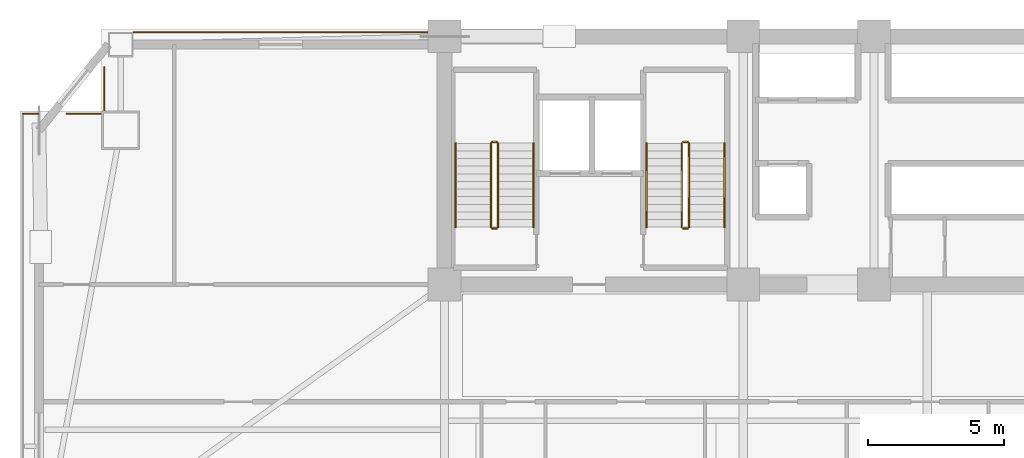
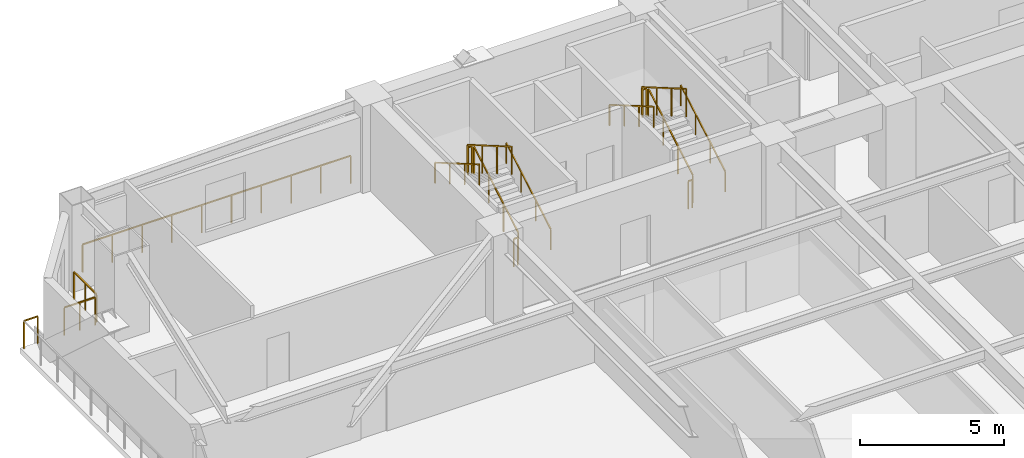
# One storey, part 14 of 15: 16 railings.
"""IFC4 building model written with IfcOpenShell, lengths in metres."""

import ifcopenshell
import ifcopenshell.guid

model = None  # the IFC model being written
_history = None  # IfcOwnerHistory: only IFC2X3 demands one
_inside = {}  # id of a spatial element -> (the spatial element, [elements in it])
_under = {}  # id of a project, library or spatial element -> (it, [spatial elements below it])
_declared = {}  # id of a project -> (the project, [libraries it declares])
_typed = {}  # id of a type object -> (the type object, [elements of that type])
_made_of = {}  # id of a material, layer set ... -> (it, [elements and type objects made of it])


def new_model(schema):
    """Start an empty IFC model of exactly this schema.

    Asked for "IFC4X3", IfcOpenShell would pick the latest addendum, in which some entities
    have other attributes; the version numbers below select the first issue.
    IFC2X3 requires an IfcOwnerHistory on every rooted entity: one is made here for all.
    """
    global model, _history
    if schema == "IFC4X3":
        model = ifcopenshell.file(schema_version=(4, 3, 0, 0))
    else:
        model = ifcopenshell.file(schema=schema)
    _inside.clear()
    _under.clear()
    _declared.clear()
    _typed.clear()
    _made_of.clear()
    _history = None
    if model.schema == "IFC2X3":
        org = make("IfcOrganization", Name="unknown")
        user = make(
            "IfcPersonAndOrganization",
            ThePerson=make("IfcPerson", FamilyName="unknown"),
            TheOrganization=org,
        )
        app = make(
            "IfcApplication",
            ApplicationDeveloper=org,
            Version="unknown",
            ApplicationFullName="unknown",
            ApplicationIdentifier="unknown",
        )
        _history = make(
            "IfcOwnerHistory",
            OwningUser=user,
            OwningApplication=app,
            ChangeAction="ADDED",
            CreationDate=0,
        )
    return model


def make(cls, **values):
    """One entity of the class cls with the attributes given. An attribute that is None is left unset."""
    return model.create_entity(
        cls, **{name: value for name, value in values.items() if value is not None}
    )


def rooted(cls, **values):
    """An entity with a GlobalId (a new one), such as an element, a storey or a relation."""
    return make(cls, GlobalId=ifcopenshell.guid.new(), OwnerHistory=_history, **values)


def si_unit(unit_type, name, prefix=None):
    """IfcSIUnit, for example si_unit("LENGTHUNIT", "METRE", prefix="MILLI")."""
    return make("IfcSIUnit", UnitType=unit_type, Prefix=prefix, Name=name)


def assignment(units):
    """IfcUnitAssignment: the units of a project."""
    return None if units is None else make("IfcUnitAssignment", Units=units)


def point(xyz):
    """IfcCartesianPoint."""
    return None if xyz is None else make("IfcCartesianPoint", Coordinates=xyz)


def direction(xyz):
    """IfcDirection."""
    return None if xyz is None else make("IfcDirection", DirectionRatios=xyz)


def frame(location, z_axis=None, x_axis=None):
    """IfcAxis2Placement3D, a coordinate frame: its origin and axes. An axis left out is left unset."""
    return make(
        "IfcAxis2Placement3D",
        Location=point(location),
        Axis=direction(z_axis),
        RefDirection=direction(x_axis),
    )


def frame_2d(location, x_axis=None):
    """IfcAxis2Placement2D, a coordinate frame in the plane: its origin and x axis."""
    return make(
        "IfcAxis2Placement2D", Location=point(location), RefDirection=direction(x_axis)
    )


def origin():
    """The frame at (0, 0, 0) with its axes left unset."""
    return frame((0.0, 0.0, 0.0))


def origin_2d():
    """The frame at (0, 0) in the plane with its x axis left unset."""
    return frame_2d((0.0, 0.0))


def place(relative_to, where):
    """IfcLocalPlacement: puts the frame where relative to a parent placement (None: the world)."""
    return make(
        "IfcLocalPlacement", PlacementRelTo=relative_to, RelativePlacement=where
    )


def context(
    kind, dimensions, precision=None, world=None, true_north=None, identifier=None
):
    """IfcGeometricRepresentationContext, for example the 3D "Model" context."""
    return make(
        "IfcGeometricRepresentationContext",
        ContextIdentifier=identifier,
        ContextType=kind,
        CoordinateSpaceDimension=dimensions,
        Precision=precision,
        WorldCoordinateSystem=world,
        TrueNorth=true_north,
    )


def subcontext(parent, identifier, kind, view, scale=None):
    """IfcGeometricRepresentationSubContext, for example "Body" below "Model"."""
    return make(
        "IfcGeometricRepresentationSubContext",
        ContextIdentifier=identifier,
        ContextType=kind,
        ParentContext=parent,
        TargetScale=scale,
        TargetView=view,
    )


def project(units=None, contexts=None):
    """IfcProject with its units and contexts."""
    return rooted(
        "IfcProject",
        Name="project",
        RepresentationContexts=contexts,
        UnitsInContext=assignment(units),
    )


def spatial(cls, under=None, at=None, **own):
    """A site, building, storey or space (cls), placed at a placement, below another one or the project."""
    s = rooted(cls, ObjectPlacement=at, **own)
    if under is not None:
        _under.setdefault(under.id(), (under, []))[1].append(s)
    return s


def profile(cls, at=None, kind="AREA", **sizes):
    """A parametric profile (cls). Its sizes go by their IFC names, for example OverallWidth=200.0."""
    return make(cls, ProfileType=kind, Position=at, **sizes)


def rectangle(**sizes):
    """IfcRectangleProfileDef."""
    return profile("IfcRectangleProfileDef", **sizes)


def extrude(swept, where, along, depth):
    """IfcExtrudedAreaSolid: the profile swept, set in the frame where, extruded along a direction by depth."""
    return make(
        "IfcExtrudedAreaSolid",
        SweptArea=swept,
        Position=where,
        ExtrudedDirection=direction(along),
        Depth=depth,
    )


def shape(context_of_items, identifier, shape_type, items):
    """IfcShapeRepresentation: the items that make up one representation, for example the "Body"."""
    return make(
        "IfcShapeRepresentation",
        ContextOfItems=context_of_items,
        RepresentationIdentifier=identifier,
        RepresentationType=shape_type,
        Items=items,
    )


def material(Name=None, Category=None):
    """IfcMaterial."""
    return make("IfcMaterial", Name=Name, Category=Category)


def made_of(thing, what):
    """Note that an element or type object is made of a material, layer set ...; save() writes the relation."""
    if what is not None:
        _made_of.setdefault(what.id(), (what, []))[1].append(thing)
    return thing


def type_object(cls, material=None, **own):
    """A type object (cls), such as IfcWallType, which elements share."""
    return made_of(rooted(cls, **own), material)


def element(
    cls,
    number,
    at=None,
    inside=None,
    cuts=None,
    type_object=None,
    material=None,
    context=None,
    identifier="Body",
    shape_type=None,
    held_by="IfcProductDefinitionShape",
    body=None,
    shapes=None,
    **own,
):
    """One element of the class cls, such as IfcWall. Its Tag is "e" and its number.

    at: its placement. inside: the storey or other place that contains it. cuts: it is an
    opening in that element (IfcRelVoidsElement). A single representation is given by context,
    identifier, shape_type and body (its items); several are given by shapes. held_by: the class
    of the entity that holds the representations. save() writes the other relations.
    """
    e = rooted(cls, Tag="e%d" % number, ObjectPlacement=at, **own)
    if body is not None:
        shapes = [shape(context, identifier, shape_type, body)]
    if shapes is not None:
        e.Representation = make(held_by, Representations=shapes)
    if inside is not None:
        _inside.setdefault(inside.id(), (inside, []))[1].append(e)
    if cuts is not None:
        rooted(
            "IfcRelVoidsElement", RelatingBuildingElement=cuts, RelatedOpeningElement=e
        )
    if type_object is not None:
        _typed.setdefault(type_object.id(), (type_object, []))[1].append(e)
    return made_of(e, material)


def aggregate(whole, parts):
    """IfcRelAggregates: a whole, such as a stair, and the parts it consists of."""
    return rooted("IfcRelAggregates", RelatingObject=whole, RelatedObjects=parts)


def save(model, path):
    """Write the relations noted so far, then the file.

    IfcRelAggregates (storeys below a building ...), IfcRelContainedInSpatialStructure (elements
    in a storey), IfcRelDefinesByType, IfcRelAssociatesMaterial and IfcRelDeclares: one each for
    every whole, place, type object, material and project.
    """
    for whole, parts in _under.values():
        aggregate(whole, parts)
    for where, things in _inside.values():
        rooted(
            "IfcRelContainedInSpatialStructure",
            RelatedElements=things,
            RelatingStructure=where,
        )
    for kind, things in _typed.values():
        rooted("IfcRelDefinesByType", RelatedObjects=things, RelatingType=kind)
    for what, things in _made_of.values():
        rooted("IfcRelAssociatesMaterial", RelatedObjects=things, RelatingMaterial=what)
    for by, libraries in _declared.values():
        rooted("IfcRelDeclares", RelatingContext=by, RelatedDefinitions=libraries)
    model.write(path)


model = new_model("IFC4")

# Units and contexts
model_context = context("Model", 3, precision=1e-05, world=origin(), true_north=direction((0.0, 1.0)))
body_context = subcontext(model_context, "Body", "Model", "MODEL_VIEW")
ifc_project = project(units=[si_unit("LENGTHUNIT", "METRE"), si_unit("AREAUNIT", "SQUARE_METRE"), si_unit("VOLUMEUNIT", "CUBIC_METRE"), si_unit("PLANEANGLEUNIT", "RADIAN"), si_unit("MASSUNIT", "GRAM", prefix="KILO")], contexts=[model_context])

# Site, building, storey
site_placement = place(None, origin())
site = spatial("IfcSite", under=ifc_project, at=site_placement, CompositionType="ELEMENT")
building_placement = place(site_placement, origin())
building = spatial("IfcBuilding", under=site, at=building_placement, Name="Giltprow Tower", CompositionType="ELEMENT")
storey_placement = place(building_placement, frame((0.0, 0.0, 123.10009765625)))
storey = spatial("IfcBuildingStorey", under=building, at=storey_placement, Name="L30", CompositionType="ELEMENT", Elevation=123.10009765625)

# Railings
ifc_material = material(Name="Anodized bronze", Category="metal")
railing_type_1 = type_object("IfcRailingType", Name="RAIL-BALC-GUARD-1200", PredefinedType="BALUSTRADE", material=ifc_material)
railing_1_placement = place(storey_placement, frame((4.37890625, 43.708984375, 0.0)))
element("IfcRailing", 1, at=railing_1_placement, inside=storey, type_object=railing_type_1, Name="L30 Corner Apron Edge Balustrade 6", PredefinedType="BALUSTRADE", context=body_context, shape_type="SweptSolid", body=[
    extrude(rectangle(XDim=0.048095703125, YDim=0.048095703125, at=origin_2d()), frame((0.0, 0.0, 1.17578125), z_axis=(1.0, 0.0, 0.0), x_axis=(0.0, 1.0, 0.0)), (0.0, 0.0, 1.0), 0.55810546875),
    extrude(rectangle(XDim=0.0419921875, YDim=0.0419921875, at=origin_2d()), origin(), (0.0, 0.0, 1.0), 1.15185546875),
    extrude(rectangle(XDim=0.0419921875, YDim=0.0419921875, at=origin_2d()), frame((0.55810546875, 0.0, 0.0)), (0.0, 0.0, 1.0), 1.15185546875),
])
railing_2_placement = place(storey_placement, frame((5.991943359375, 43.708984375, 0.0)))
element("IfcRailing", 2, at=railing_2_placement, inside=storey, type_object=railing_type_1, Name="L30 Corner Apron Edge Balustrade 7", PredefinedType="BALUSTRADE", context=body_context, shape_type="SweptSolid", body=[
    extrude(rectangle(XDim=0.048095703125, YDim=0.048095703125, at=origin_2d()), frame((0.0, 0.0, 1.17578125), z_axis=(1.0, 0.0, 0.0), x_axis=(0.0, 1.0, 0.0)), (0.0, 0.0, 1.0), 1.2431640625),
    extrude(rectangle(XDim=0.0419921875, YDim=0.0419921875, at=origin_2d()), origin(), (0.0, 0.0, 1.0), 1.15185546875),
    extrude(rectangle(XDim=0.0419921875, YDim=0.0419921875, at=origin_2d()), frame((0.62158203125, 0.0, 0.0)), (0.0, 0.0, 1.0), 1.15185546875),
    extrude(rectangle(XDim=0.0419921875, YDim=0.0419921875, at=origin_2d()), frame((1.2431640625, 0.0, 0.0)), (0.0, 0.0, 1.0), 1.15185546875),
])
railing_3_placement = place(storey_placement, frame((7.3701171875, 43.843994140625, 0.0)))
element("IfcRailing", 3, at=railing_3_placement, inside=storey, type_object=railing_type_1, Name="L30 Corner Apron Edge Balustrade 8", PredefinedType="BALUSTRADE", context=body_context, shape_type="SweptSolid", body=[
    extrude(rectangle(XDim=0.048095703125, YDim=0.048095703125, at=origin_2d()), frame((0.0, 0.0, 1.17578125), z_axis=(0.0, 1.0, 0.0), x_axis=(-1.0, 0.0, 0.0)), (0.0, 0.0, 1.0), 1.569091796875),
    extrude(rectangle(XDim=0.0419921875, YDim=0.0419921875, at=origin_2d()), origin(), (0.0, 0.0, 1.0), 1.15185546875),
    extrude(rectangle(XDim=0.0419921875, YDim=0.0419921875, at=origin_2d()), frame((0.0, 0.78466796875, 0.0)), (0.0, 0.0, 1.0), 1.15185546875),
    extrude(rectangle(XDim=0.0419921875, YDim=0.0419921875, at=origin_2d()), frame((0.0, 1.569091796875, 0.0)), (0.0, 0.0, 1.0), 1.15185546875),
])
railing_4_placement = place(storey_placement, frame((8.455078125, 46.699951171875, 0.0)))
element("IfcRailing", 4, at=railing_4_placement, inside=storey, type_object=railing_type_1, Name="L30 Corner Apron Edge Balustrade 9", PredefinedType="BALUSTRADE", context=body_context, shape_type="SweptSolid", body=[
    extrude(rectangle(XDim=0.048095703125, YDim=0.048095703125, at=origin_2d()), frame((0.0, 0.0, 1.17578125), z_axis=(1.0, 0.0, 0.0), x_axis=(0.0, 1.0, 0.0)), (0.0, 0.0, 1.0), 10.760009765625),
    extrude(rectangle(XDim=0.0419921875, YDim=0.0419921875, at=origin_2d()), origin(), (0.0, 0.0, 1.0), 1.15185546875),
    extrude(rectangle(XDim=0.0419921875, YDim=0.0419921875, at=origin_2d()), frame((1.195556640625, 0.0, 0.0)), (0.0, 0.0, 1.0), 1.15185546875),
    extrude(rectangle(XDim=0.0419921875, YDim=0.0419921875, at=origin_2d()), frame((2.39111328125, 0.0, 0.0)), (0.0, 0.0, 1.0), 1.15185546875),
    extrude(rectangle(XDim=0.0419921875, YDim=0.0419921875, at=origin_2d()), frame((3.586669921875, 0.0, 0.0)), (0.0, 0.0, 1.0), 1.15185546875),
    extrude(rectangle(XDim=0.0419921875, YDim=0.0419921875, at=origin_2d()), frame((4.7822265625, 0.0, 0.0)), (0.0, 0.0, 1.0), 1.15185546875),
    extrude(rectangle(XDim=0.0419921875, YDim=0.0419921875, at=origin_2d()), frame((5.977783203125, 0.0, 0.0)), (0.0, 0.0, 1.0), 1.15185546875),
    extrude(rectangle(XDim=0.0419921875, YDim=0.0419921875, at=origin_2d()), frame((7.17333984375, 0.0, 0.0)), (0.0, 0.0, 1.0), 1.15185546875),
    extrude(rectangle(XDim=0.0419921875, YDim=0.0419921875, at=origin_2d()), frame((8.368896484375, 0.0, 0.0)), (0.0, 0.0, 1.0), 1.15185546875),
    extrude(rectangle(XDim=0.0419921875, YDim=0.0419921875, at=origin_2d()), frame((9.564453125, 0.0, 0.0)), (0.0, 0.0, 1.0), 1.15185546875),
    extrude(rectangle(XDim=0.0419921875, YDim=0.0419921875, at=origin_2d()), frame((10.760009765625, 0.0, 0.0)), (0.0, 0.0, 1.0), 1.15185546875),
])
railing_type_2 = type_object("IfcRailingType", Name="RAIL-STAIR-GUARD-1200", PredefinedType="GUARDRAIL", material=ifc_material)
railing_5_placement = place(storey_placement, frame((21.81005859375, 39.550048828125, 0.162353515625)))
element("IfcRailing", 5, at=railing_5_placement, inside=storey, type_object=railing_type_2, Name="L30 ST-1 stair guard 1", PredefinedType="GUARDRAIL", context=body_context, shape_type="SweptSolid", body=[
    extrude(rectangle(XDim=0.048095703125, YDim=0.048095703125, at=origin_2d()), frame((0.0, 0.0, 1.17578125), z_axis=(0.0, 0.864873446163, 0.501989962173), x_axis=(-1.0, 0.0, 0.0)), (0.0, 0.0, 1.0), 3.56103515625),
    extrude(rectangle(XDim=0.0419921875, YDim=0.0419921875, at=origin_2d()), origin(), (0.0, 0.0, 1.0), 1.15185546875),
    extrude(rectangle(XDim=0.0419921875, YDim=0.0419921875, at=origin_2d()), frame((0.0, 1.026611328125, 0.595947265625)), (0.0, 0.0, 1.0), 1.15185546875),
    extrude(rectangle(XDim=0.0419921875, YDim=0.0419921875, at=origin_2d()), frame((0.0, 2.05322265625, 1.191650390625)), (0.0, 0.0, 1.0), 1.15185546875),
    extrude(rectangle(XDim=0.0419921875, YDim=0.0419921875, at=origin_2d()), frame((0.0, 3.079833984375, 1.78759765625)), (0.0, 0.0, 1.0), 1.15185546875),
])
railing_6_placement = place(storey_placement, frame((21.760009765625, 42.679931640625, 1.949951171875)))
element("IfcRailing", 6, at=railing_6_placement, inside=storey, type_object=railing_type_2, Name="L30 ST-1 stair guard 2", PredefinedType="GUARDRAIL", context=body_context, shape_type="SweptSolid", body=[
    extrude(rectangle(XDim=0.048095703125, YDim=0.048095703125, at=origin_2d()), frame((0.0, 0.0, 1.17578125), z_axis=(-1.0, 0.0, 0.0), x_axis=(0.0, -1.0, 0.0)), (0.0, 0.0, 1.0), 0.159912109375),
    extrude(rectangle(XDim=0.0419921875, YDim=0.0419921875, at=origin_2d()), origin(), (0.0, 0.0, 1.0), 1.15185546875),
    extrude(rectangle(XDim=0.0419921875, YDim=0.0419921875, at=origin_2d()), frame((-0.159912109375, 0.0, 0.0)), (0.0, 0.0, 1.0), 1.15185546875),
])
railing_7_placement = place(storey_placement, frame((21.550048828125, 42.6298828125, 2.1123046875)))
element("IfcRailing", 7, at=railing_7_placement, inside=storey, type_object=railing_type_2, Name="L30 ST-1 stair guard 3", PredefinedType="GUARDRAIL", context=body_context, shape_type="SweptSolid", body=[
    extrude(rectangle(XDim=0.048095703125, YDim=0.048095703125, at=origin_2d()), frame((0.0, 0.0, 1.17578125), z_axis=(0.0, -0.864873446163, 0.501989962173), x_axis=(1.0, 0.0, 0.0)), (0.0, 0.0, 1.0), 3.56103515625),
    extrude(rectangle(XDim=0.0419921875, YDim=0.0419921875, at=origin_2d()), origin(), (0.0, 0.0, 1.0), 1.15185546875),
    extrude(rectangle(XDim=0.0419921875, YDim=0.0419921875, at=origin_2d()), frame((0.0, -1.026611328125, 0.595947265625)), (0.0, 0.0, 1.0), 1.15185546875),
    extrude(rectangle(XDim=0.0419921875, YDim=0.0419921875, at=origin_2d()), frame((0.0, -2.05322265625, 1.191650390625)), (0.0, 0.0, 1.0), 1.15185546875),
    extrude(rectangle(XDim=0.0419921875, YDim=0.0419921875, at=origin_2d()), frame((0.0, -3.079833984375, 1.78759765625)), (0.0, 0.0, 1.0), 1.15185546875),
])
railing_8_placement = place(storey_placement, frame((21.760009765625, 39.5, 0.0)))
element("IfcRailing", 8, at=railing_8_placement, inside=storey, type_object=railing_type_2, Name="L30 ST-1 stair guard 4", PredefinedType="GUARDRAIL", context=body_context, shape_type="SweptSolid", body=[
    extrude(rectangle(XDim=0.048095703125, YDim=0.048095703125, at=origin_2d()), frame((0.0, 0.0, 1.17578125), z_axis=(-1.0, 0.0, 0.0), x_axis=(0.0, -1.0, 0.0)), (0.0, 0.0, 1.0), 0.159912109375),
    extrude(rectangle(XDim=0.0419921875, YDim=0.0419921875, at=origin_2d()), origin(), (0.0, 0.0, 1.0), 1.15185546875),
    extrude(rectangle(XDim=0.0419921875, YDim=0.0419921875, at=origin_2d()), frame((-0.159912109375, 0.0, 0.0)), (0.0, 0.0, 1.0), 1.15185546875),
])
railing_9_placement = place(storey_placement, frame((28.81005859375, 39.550048828125, 0.162353515625)))
element("IfcRailing", 9, at=railing_9_placement, inside=storey, type_object=railing_type_2, Name="L30 ST-2 stair guard 1", PredefinedType="GUARDRAIL", context=body_context, shape_type="SweptSolid", body=[
    extrude(rectangle(XDim=0.048095703125, YDim=0.048095703125, at=origin_2d()), frame((0.0, 0.0, 1.17578125), z_axis=(0.0, 0.864873446163, 0.501989962173), x_axis=(-1.0, 0.0, 0.0)), (0.0, 0.0, 1.0), 3.56103515625),
    extrude(rectangle(XDim=0.0419921875, YDim=0.0419921875, at=origin_2d()), origin(), (0.0, 0.0, 1.0), 1.15185546875),
    extrude(rectangle(XDim=0.0419921875, YDim=0.0419921875, at=origin_2d()), frame((0.0, 1.026611328125, 0.595947265625)), (0.0, 0.0, 1.0), 1.15185546875),
    extrude(rectangle(XDim=0.0419921875, YDim=0.0419921875, at=origin_2d()), frame((0.0, 2.05322265625, 1.191650390625)), (0.0, 0.0, 1.0), 1.15185546875),
    extrude(rectangle(XDim=0.0419921875, YDim=0.0419921875, at=origin_2d()), frame((0.0, 3.079833984375, 1.78759765625)), (0.0, 0.0, 1.0), 1.15185546875),
])
railing_10_placement = place(storey_placement, frame((28.760009765625, 42.679931640625, 1.949951171875)))
element("IfcRailing", 10, at=railing_10_placement, inside=storey, type_object=railing_type_2, Name="L30 ST-2 stair guard 2", PredefinedType="GUARDRAIL", context=body_context, shape_type="SweptSolid", body=[
    extrude(rectangle(XDim=0.048095703125, YDim=0.048095703125, at=origin_2d()), frame((0.0, 0.0, 1.17578125), z_axis=(-1.0, 0.0, 0.0), x_axis=(0.0, -1.0, 0.0)), (0.0, 0.0, 1.0), 0.159912109375),
    extrude(rectangle(XDim=0.0419921875, YDim=0.0419921875, at=origin_2d()), origin(), (0.0, 0.0, 1.0), 1.15185546875),
    extrude(rectangle(XDim=0.0419921875, YDim=0.0419921875, at=origin_2d()), frame((-0.159912109375, 0.0, 0.0)), (0.0, 0.0, 1.0), 1.15185546875),
])
railing_11_placement = place(storey_placement, frame((28.550048828125, 42.6298828125, 2.1123046875)))
element("IfcRailing", 11, at=railing_11_placement, inside=storey, type_object=railing_type_2, Name="L30 ST-2 stair guard 3", PredefinedType="GUARDRAIL", context=body_context, shape_type="SweptSolid", body=[
    extrude(rectangle(XDim=0.048095703125, YDim=0.048095703125, at=origin_2d()), frame((0.0, 0.0, 1.17578125), z_axis=(0.0, -0.864873446163, 0.501989962173), x_axis=(1.0, 0.0, 0.0)), (0.0, 0.0, 1.0), 3.56103515625),
    extrude(rectangle(XDim=0.0419921875, YDim=0.0419921875, at=origin_2d()), origin(), (0.0, 0.0, 1.0), 1.15185546875),
    extrude(rectangle(XDim=0.0419921875, YDim=0.0419921875, at=origin_2d()), frame((0.0, -1.026611328125, 0.595947265625)), (0.0, 0.0, 1.0), 1.15185546875),
    extrude(rectangle(XDim=0.0419921875, YDim=0.0419921875, at=origin_2d()), frame((0.0, -2.05322265625, 1.191650390625)), (0.0, 0.0, 1.0), 1.15185546875),
    extrude(rectangle(XDim=0.0419921875, YDim=0.0419921875, at=origin_2d()), frame((0.0, -3.079833984375, 1.78759765625)), (0.0, 0.0, 1.0), 1.15185546875),
])
railing_12_placement = place(storey_placement, frame((28.760009765625, 39.5, 0.0)))
element("IfcRailing", 12, at=railing_12_placement, inside=storey, type_object=railing_type_2, Name="L30 ST-2 stair guard 4", PredefinedType="GUARDRAIL", context=body_context, shape_type="SweptSolid", body=[
    extrude(rectangle(XDim=0.048095703125, YDim=0.048095703125, at=origin_2d()), frame((0.0, 0.0, 1.17578125), z_axis=(-1.0, 0.0, 0.0), x_axis=(0.0, -1.0, 0.0)), (0.0, 0.0, 1.0), 0.159912109375),
    extrude(rectangle(XDim=0.0419921875, YDim=0.0419921875, at=origin_2d()), origin(), (0.0, 0.0, 1.0), 1.15185546875),
    extrude(rectangle(XDim=0.0419921875, YDim=0.0419921875, at=origin_2d()), frame((-0.159912109375, 0.0, 0.0)), (0.0, 0.0, 1.0), 1.15185546875),
])
railing_type_3 = type_object("IfcRailingType", Name="RAIL-STAIR-HAND-900", PredefinedType="HANDRAIL", material=ifc_material)
railing_13_placement = place(storey_placement, frame((23.110107421875, 39.550048828125, 0.162353515625)))
element("IfcRailing", 13, at=railing_13_placement, inside=storey, type_object=railing_type_3, Name="L30 ST-1 stair handrail 1", PredefinedType="HANDRAIL", context=body_context, shape_type="SweptSolid", body=[
    extrude(rectangle(XDim=0.048095703125, YDim=0.048095703125, at=origin_2d()), frame((0.0, 0.0, 0.8759765625), z_axis=(0.0, 0.864873446163, 0.501989962173), x_axis=(-1.0, 0.0, 0.0)), (0.0, 0.0, 1.0), 3.56103515625),
    extrude(rectangle(XDim=0.0419921875, YDim=0.0419921875, at=origin_2d()), origin(), (0.0, 0.0, 1.0), 0.851806640625),
    extrude(rectangle(XDim=0.0419921875, YDim=0.0419921875, at=origin_2d()), frame((0.0, 1.026611328125, 0.595947265625)), (0.0, 0.0, 1.0), 0.851806640625),
    extrude(rectangle(XDim=0.0419921875, YDim=0.0419921875, at=origin_2d()), frame((0.0, 2.05322265625, 1.191650390625)), (0.0, 0.0, 1.0), 0.851806640625),
    extrude(rectangle(XDim=0.0419921875, YDim=0.0419921875, at=origin_2d()), frame((0.0, 3.079833984375, 1.78759765625)), (0.0, 0.0, 1.0), 0.851806640625),
])
railing_14_placement = place(storey_placement, frame((20.25, 42.6298828125, 2.1123046875)))
element("IfcRailing", 14, at=railing_14_placement, inside=storey, type_object=railing_type_3, Name="L30 ST-1 stair handrail 2", PredefinedType="HANDRAIL", context=body_context, shape_type="SweptSolid", body=[
    extrude(rectangle(XDim=0.048095703125, YDim=0.048095703125, at=origin_2d()), frame((0.0, 0.0, 0.8759765625), z_axis=(0.0, -0.864873446163, 0.501989962173), x_axis=(1.0, 0.0, 0.0)), (0.0, 0.0, 1.0), 3.56103515625),
    extrude(rectangle(XDim=0.0419921875, YDim=0.0419921875, at=origin_2d()), origin(), (0.0, 0.0, 1.0), 0.851806640625),
    extrude(rectangle(XDim=0.0419921875, YDim=0.0419921875, at=origin_2d()), frame((0.0, -1.026611328125, 0.595947265625)), (0.0, 0.0, 1.0), 0.851806640625),
    extrude(rectangle(XDim=0.0419921875, YDim=0.0419921875, at=origin_2d()), frame((0.0, -2.05322265625, 1.191650390625)), (0.0, 0.0, 1.0), 0.851806640625),
    extrude(rectangle(XDim=0.0419921875, YDim=0.0419921875, at=origin_2d()), frame((0.0, -3.079833984375, 1.78759765625)), (0.0, 0.0, 1.0), 0.851806640625),
])
railing_15_placement = place(storey_placement, frame((30.110107421875, 39.550048828125, 0.162353515625)))
element("IfcRailing", 15, at=railing_15_placement, inside=storey, type_object=railing_type_3, Name="L30 ST-2 stair handrail 1", PredefinedType="HANDRAIL", context=body_context, shape_type="SweptSolid", body=[
    extrude(rectangle(XDim=0.048095703125, YDim=0.048095703125, at=origin_2d()), frame((0.0, 0.0, 0.8759765625), z_axis=(0.0, 0.864873446163, 0.501989962173), x_axis=(-1.0, 0.0, 0.0)), (0.0, 0.0, 1.0), 3.56103515625),
    extrude(rectangle(XDim=0.0419921875, YDim=0.0419921875, at=origin_2d()), origin(), (0.0, 0.0, 1.0), 0.851806640625),
    extrude(rectangle(XDim=0.0419921875, YDim=0.0419921875, at=origin_2d()), frame((0.0, 1.026611328125, 0.595947265625)), (0.0, 0.0, 1.0), 0.851806640625),
    extrude(rectangle(XDim=0.0419921875, YDim=0.0419921875, at=origin_2d()), frame((0.0, 2.05322265625, 1.191650390625)), (0.0, 0.0, 1.0), 0.851806640625),
    extrude(rectangle(XDim=0.0419921875, YDim=0.0419921875, at=origin_2d()), frame((0.0, 3.079833984375, 1.78759765625)), (0.0, 0.0, 1.0), 0.851806640625),
])
railing_16_placement = place(storey_placement, frame((27.25, 42.6298828125, 2.1123046875)))
element("IfcRailing", 16, at=railing_16_placement, inside=storey, type_object=railing_type_3, Name="L30 ST-2 stair handrail 2", PredefinedType="HANDRAIL", context=body_context, shape_type="SweptSolid", body=[
    extrude(rectangle(XDim=0.048095703125, YDim=0.048095703125, at=origin_2d()), frame((0.0, 0.0, 0.8759765625), z_axis=(0.0, -0.864873446163, 0.501989962173), x_axis=(1.0, 0.0, 0.0)), (0.0, 0.0, 1.0), 3.56103515625),
    extrude(rectangle(XDim=0.0419921875, YDim=0.0419921875, at=origin_2d()), origin(), (0.0, 0.0, 1.0), 0.851806640625),
    extrude(rectangle(XDim=0.0419921875, YDim=0.0419921875, at=origin_2d()), frame((0.0, -1.026611328125, 0.595947265625)), (0.0, 0.0, 1.0), 0.851806640625),
    extrude(rectangle(XDim=0.0419921875, YDim=0.0419921875, at=origin_2d()), frame((0.0, -2.05322265625, 1.191650390625)), (0.0, 0.0, 1.0), 0.851806640625),
    extrude(rectangle(XDim=0.0419921875, YDim=0.0419921875, at=origin_2d()), frame((0.0, -3.079833984375, 1.78759765625)), (0.0, 0.0, 1.0), 0.851806640625),
])

save(model, "model.ifc")
